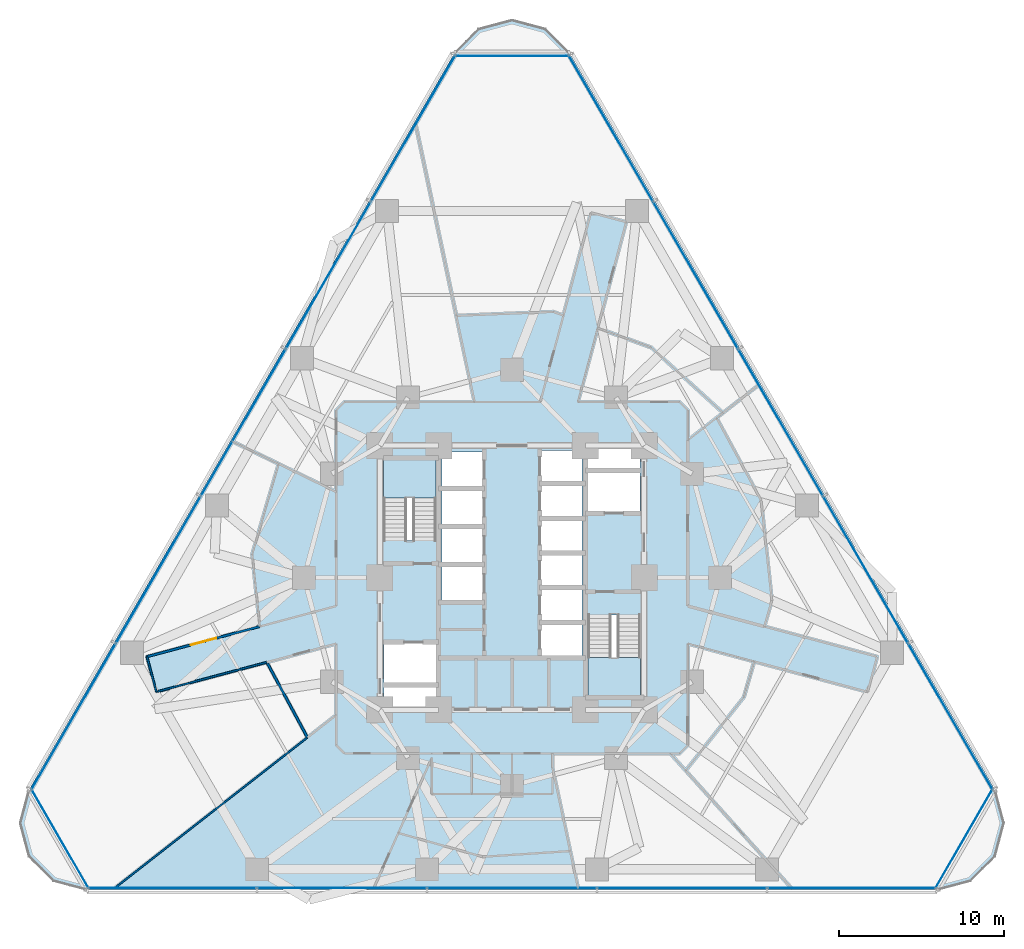
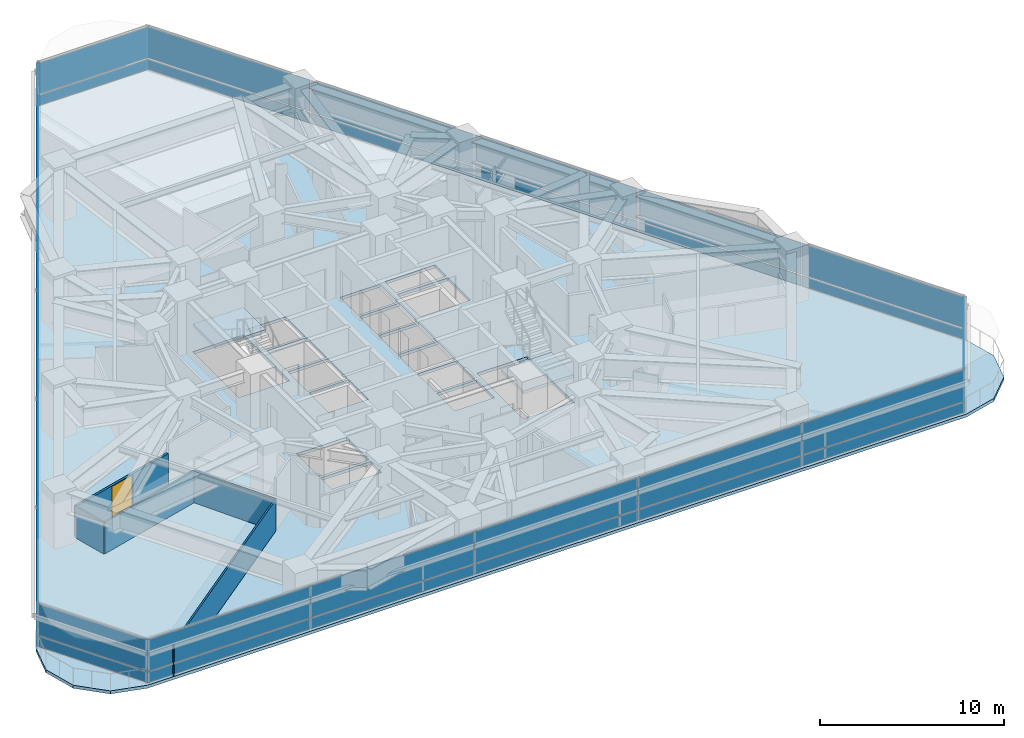
# One storey, part 7 of 15: 36 plates, 5 walls, 3 slabs, 1 door, 1 opening, 8 elements without a shape of their own.
"""IFC4 building model written with IfcOpenShell, lengths in metres."""

import ifcopenshell
import ifcopenshell.guid

model = None  # the IFC model being written
_history = None  # IfcOwnerHistory: only IFC2X3 demands one
_inside = {}  # id of a spatial element -> (the spatial element, [elements in it])
_under = {}  # id of a project, library or spatial element -> (it, [spatial elements below it])
_declared = {}  # id of a project -> (the project, [libraries it declares])
_typed = {}  # id of a type object -> (the type object, [elements of that type])
_made_of = {}  # id of a material, layer set ... -> (it, [elements and type objects made of it])


def new_model(schema):
    """Start an empty IFC model of exactly this schema.

    Asked for "IFC4X3", IfcOpenShell would pick the latest addendum, in which some entities
    have other attributes; the version numbers below select the first issue.
    IFC2X3 requires an IfcOwnerHistory on every rooted entity: one is made here for all.
    """
    global model, _history
    if schema == "IFC4X3":
        model = ifcopenshell.file(schema_version=(4, 3, 0, 0))
    else:
        model = ifcopenshell.file(schema=schema)
    _inside.clear()
    _under.clear()
    _declared.clear()
    _typed.clear()
    _made_of.clear()
    _history = None
    if model.schema == "IFC2X3":
        org = make("IfcOrganization", Name="unknown")
        user = make(
            "IfcPersonAndOrganization",
            ThePerson=make("IfcPerson", FamilyName="unknown"),
            TheOrganization=org,
        )
        app = make(
            "IfcApplication",
            ApplicationDeveloper=org,
            Version="unknown",
            ApplicationFullName="unknown",
            ApplicationIdentifier="unknown",
        )
        _history = make(
            "IfcOwnerHistory",
            OwningUser=user,
            OwningApplication=app,
            ChangeAction="ADDED",
            CreationDate=0,
        )
    return model


def make(cls, **values):
    """One entity of the class cls with the attributes given. An attribute that is None is left unset."""
    return model.create_entity(
        cls, **{name: value for name, value in values.items() if value is not None}
    )


def rooted(cls, **values):
    """An entity with a GlobalId (a new one), such as an element, a storey or a relation."""
    return make(cls, GlobalId=ifcopenshell.guid.new(), OwnerHistory=_history, **values)


def si_unit(unit_type, name, prefix=None):
    """IfcSIUnit, for example si_unit("LENGTHUNIT", "METRE", prefix="MILLI")."""
    return make("IfcSIUnit", UnitType=unit_type, Prefix=prefix, Name=name)


def assignment(units):
    """IfcUnitAssignment: the units of a project."""
    return None if units is None else make("IfcUnitAssignment", Units=units)


def point(xyz):
    """IfcCartesianPoint."""
    return None if xyz is None else make("IfcCartesianPoint", Coordinates=xyz)


def direction(xyz):
    """IfcDirection."""
    return None if xyz is None else make("IfcDirection", DirectionRatios=xyz)


def frame(location, z_axis=None, x_axis=None):
    """IfcAxis2Placement3D, a coordinate frame: its origin and axes. An axis left out is left unset."""
    return make(
        "IfcAxis2Placement3D",
        Location=point(location),
        Axis=direction(z_axis),
        RefDirection=direction(x_axis),
    )


def frame_2d(location, x_axis=None):
    """IfcAxis2Placement2D, a coordinate frame in the plane: its origin and x axis."""
    return make(
        "IfcAxis2Placement2D", Location=point(location), RefDirection=direction(x_axis)
    )


def origin():
    """The frame at (0, 0, 0) with its axes left unset."""
    return frame((0.0, 0.0, 0.0))


def origin_2d():
    """The frame at (0, 0) in the plane with its x axis left unset."""
    return frame_2d((0.0, 0.0))


def place(relative_to, where):
    """IfcLocalPlacement: puts the frame where relative to a parent placement (None: the world)."""
    return make(
        "IfcLocalPlacement", PlacementRelTo=relative_to, RelativePlacement=where
    )


def context(
    kind, dimensions, precision=None, world=None, true_north=None, identifier=None
):
    """IfcGeometricRepresentationContext, for example the 3D "Model" context."""
    return make(
        "IfcGeometricRepresentationContext",
        ContextIdentifier=identifier,
        ContextType=kind,
        CoordinateSpaceDimension=dimensions,
        Precision=precision,
        WorldCoordinateSystem=world,
        TrueNorth=true_north,
    )


def subcontext(parent, identifier, kind, view, scale=None):
    """IfcGeometricRepresentationSubContext, for example "Body" below "Model"."""
    return make(
        "IfcGeometricRepresentationSubContext",
        ContextIdentifier=identifier,
        ContextType=kind,
        ParentContext=parent,
        TargetScale=scale,
        TargetView=view,
    )


def project(units=None, contexts=None):
    """IfcProject with its units and contexts."""
    return rooted(
        "IfcProject",
        Name="project",
        RepresentationContexts=contexts,
        UnitsInContext=assignment(units),
    )


def spatial(cls, under=None, at=None, **own):
    """A site, building, storey or space (cls), placed at a placement, below another one or the project."""
    s = rooted(cls, ObjectPlacement=at, **own)
    if under is not None:
        _under.setdefault(under.id(), (under, []))[1].append(s)
    return s


def polyline(points):
    """IfcPolyline through the points."""
    return make("IfcPolyline", Points=[point(p) for p in points])


def profile(cls, at=None, kind="AREA", **sizes):
    """A parametric profile (cls). Its sizes go by their IFC names, for example OverallWidth=200.0."""
    return make(cls, ProfileType=kind, Position=at, **sizes)


def rectangle(**sizes):
    """IfcRectangleProfileDef."""
    return profile("IfcRectangleProfileDef", **sizes)


def outline(outer, holes=None, kind="AREA"):
    """IfcArbitraryClosedProfileDef: a profile drawn as a closed curve; with holes, ...WithVoids."""
    if holes is None:
        return make("IfcArbitraryClosedProfileDef", ProfileType=kind, OuterCurve=outer)
    return make(
        "IfcArbitraryProfileDefWithVoids",
        ProfileType=kind,
        OuterCurve=outer,
        InnerCurves=holes,
    )


def extrude(swept, where, along, depth):
    """IfcExtrudedAreaSolid: the profile swept, set in the frame where, extruded along a direction by depth."""
    return make(
        "IfcExtrudedAreaSolid",
        SweptArea=swept,
        Position=where,
        ExtrudedDirection=direction(along),
        Depth=depth,
    )


def shape(context_of_items, identifier, shape_type, items):
    """IfcShapeRepresentation: the items that make up one representation, for example the "Body"."""
    return make(
        "IfcShapeRepresentation",
        ContextOfItems=context_of_items,
        RepresentationIdentifier=identifier,
        RepresentationType=shape_type,
        Items=items,
    )


def material(Name=None, Category=None):
    """IfcMaterial."""
    return make("IfcMaterial", Name=Name, Category=Category)


def layer(
    of_material, thickness, ventilated=None, Name=None, Category=None, Priority=None
):
    """IfcMaterialLayer: one layer of a wall or slab, of a material (None: an air gap)."""
    return make(
        "IfcMaterialLayer",
        Material=of_material,
        LayerThickness=thickness,
        IsVentilated=ventilated,
        Name=Name,
        Category=Category,
        Priority=Priority,
    )


def layer_set(layers, Name=None):
    """IfcMaterialLayerSet."""
    return make("IfcMaterialLayerSet", MaterialLayers=layers, LayerSetName=Name)


def made_of(thing, what):
    """Note that an element or type object is made of a material, layer set ...; save() writes the relation."""
    if what is not None:
        _made_of.setdefault(what.id(), (what, []))[1].append(thing)
    return thing


def type_object(cls, material=None, **own):
    """A type object (cls), such as IfcWallType, which elements share."""
    return made_of(rooted(cls, **own), material)


def element(
    cls,
    number,
    at=None,
    inside=None,
    cuts=None,
    type_object=None,
    material=None,
    context=None,
    identifier="Body",
    shape_type=None,
    held_by="IfcProductDefinitionShape",
    body=None,
    shapes=None,
    **own,
):
    """One element of the class cls, such as IfcWall. Its Tag is "e" and its number.

    at: its placement. inside: the storey or other place that contains it. cuts: it is an
    opening in that element (IfcRelVoidsElement). A single representation is given by context,
    identifier, shape_type and body (its items); several are given by shapes. held_by: the class
    of the entity that holds the representations. save() writes the other relations.
    """
    e = rooted(cls, Tag="e%d" % number, ObjectPlacement=at, **own)
    if body is not None:
        shapes = [shape(context, identifier, shape_type, body)]
    if shapes is not None:
        e.Representation = make(held_by, Representations=shapes)
    if inside is not None:
        _inside.setdefault(inside.id(), (inside, []))[1].append(e)
    if cuts is not None:
        rooted(
            "IfcRelVoidsElement", RelatingBuildingElement=cuts, RelatedOpeningElement=e
        )
    if type_object is not None:
        _typed.setdefault(type_object.id(), (type_object, []))[1].append(e)
    return made_of(e, material)


def fill(opening, filler):
    """IfcRelFillsElement: the door or window that sits in an opening."""
    return rooted(
        "IfcRelFillsElement",
        RelatingOpeningElement=opening,
        RelatedBuildingElement=filler,
    )


def aggregate(whole, parts):
    """IfcRelAggregates: a whole, such as a stair, and the parts it consists of."""
    return rooted("IfcRelAggregates", RelatingObject=whole, RelatedObjects=parts)


def save(model, path):
    """Write the relations noted so far, then the file.

    IfcRelAggregates (storeys below a building ...), IfcRelContainedInSpatialStructure (elements
    in a storey), IfcRelDefinesByType, IfcRelAssociatesMaterial and IfcRelDeclares: one each for
    every whole, place, type object, material and project.
    """
    for whole, parts in _under.values():
        aggregate(whole, parts)
    for where, things in _inside.values():
        rooted(
            "IfcRelContainedInSpatialStructure",
            RelatedElements=things,
            RelatingStructure=where,
        )
    for kind, things in _typed.values():
        rooted("IfcRelDefinesByType", RelatedObjects=things, RelatingType=kind)
    for what, things in _made_of.values():
        rooted("IfcRelAssociatesMaterial", RelatedObjects=things, RelatingMaterial=what)
    for by, libraries in _declared.values():
        rooted("IfcRelDeclares", RelatingContext=by, RelatedDefinitions=libraries)
    model.write(path)


model = new_model("IFC4")

# Units and contexts
model_context = context("Model", 3, precision=1e-05, world=origin(), true_north=direction((0.0, 1.0)))
body_context = subcontext(model_context, "Body", "Model", "MODEL_VIEW")
ifc_project = project(units=[si_unit("LENGTHUNIT", "METRE"), si_unit("AREAUNIT", "SQUARE_METRE"), si_unit("VOLUMEUNIT", "CUBIC_METRE"), si_unit("PLANEANGLEUNIT", "RADIAN"), si_unit("MASSUNIT", "GRAM", prefix="KILO")], contexts=[model_context])

# Site, building, storey
site_placement = place(None, origin())
site = spatial("IfcSite", under=ifc_project, at=site_placement, CompositionType="ELEMENT")
building_placement = place(site_placement, origin())
building = spatial("IfcBuilding", under=site, at=building_placement, Name="Terralouvre Media Tower", CompositionType="ELEMENT")
storey_placement = place(building_placement, frame((0.0, 0.0, 51.89990234375)))
storey = spatial("IfcBuildingStorey", under=building, at=storey_placement, Name="L12", CompositionType="ELEMENT", Elevation=51.89990234375)

# Slab
ifc_material_1 = material(Name="Concrete C40/50", Category="concrete")
ifc_layer_1 = layer(ifc_material_1, 0.199951171875, Name="Composite Tower Floor Slab S-TYP200")
ifc_layer_set_1 = layer_set([ifc_layer_1], Name="Concrete C40/50")
slab_type_1 = type_object("IfcSlabType", Name="Composite Tower Floor Slab S-TYP200", PredefinedType="FLOOR", material=ifc_layer_set_1)
slab_1_placement = place(storey_placement, frame((0.0, 0.0, -0.199951171875)))
element("IfcSlab", 1, at=slab_1_placement, inside=storey, type_object=slab_type_1, Name="L12 Structural Floor Slab", PredefinedType="FLOOR", context=body_context, shape_type="SweptSolid", body=[
    extrude(outline(polyline([(-29.25732421875, -12.841796875), (-29.800048828125, -14.86669921875), (-29.25732421875, -16.891845703125), (-27.77490234375, -18.374267578125), (-25.75, -18.916748046875), (25.75, -18.916748046875), (27.77490234375, -18.374267578125), (29.25732421875, -16.891845703125), (29.800048828125, -14.86669921875), (29.25732421875, -12.841796875), (3.50732421875, 31.758544921875), (2.02490234375, 33.240966796875), (0.0, 33.783447265625), (-2.02490234375, 33.240966796875), (-3.50732421875, 31.758544921875), (-29.25732421875, -12.841796875)]), holes=[polyline([(-4.60009765625, -7.800048828125), (-7.75, -7.800048828125), (-7.75, -6.60009765625), (-4.60009765625, -6.60009765625), (-4.60009765625, -7.800048828125)]), polyline([(-4.60009765625, -6.39990234375), (-7.75, -6.39990234375), (-7.75, -3.949951171875), (-4.60009765625, -3.949951171875), (-4.60009765625, -6.39990234375)]), polyline([(-1.75, -1.419921875), (-4.25, -1.419921875), (-4.25, 0.719970703125), (-1.75, 0.719970703125), (-1.75, -1.419921875)]), polyline([(-1.75, 0.8798828125), (-4.25, 0.8798828125), (-4.25, 3.02001953125), (-1.75, 3.02001953125), (-1.75, 0.8798828125)]), polyline([(4.25, 1.580078125), (1.75, 1.580078125), (1.75, 3.52001953125), (4.25, 3.52001953125), (4.25, 1.580078125)]), polyline([(-1.75, 3.179931640625), (-4.25, 3.179931640625), (-4.25, 5.320068359375), (-1.75, 5.320068359375), (-1.75, 3.179931640625)]), polyline([(-4.60009765625, 2.2451171875), (-7.780029296875, 2.2451171875), (-7.780029296875, 7.260009765625), (-4.60009765625, 7.260009765625), (-4.60009765625, 2.2451171875)]), polyline([(-1.75, 5.47998046875), (-4.25, 5.47998046875), (-4.25, 7.6201171875), (-1.75, 7.6201171875), (-1.75, 5.47998046875)]), polyline([(4.60009765625, -2.2451171875), (7.780029296875, -2.2451171875), (7.780029296875, -7.260009765625), (4.60009765625, -7.260009765625), (4.60009765625, -2.2451171875)]), polyline([(4.25, -4.719970703125), (1.75, -4.719970703125), (1.75, -2.780029296875), (4.25, -2.780029296875), (4.25, -4.719970703125)]), polyline([(4.25, -2.6201171875), (1.75, -2.6201171875), (1.75, -0.679931640625), (4.25, -0.679931640625), (4.25, -2.6201171875)]), polyline([(4.25, -0.52001953125), (1.75, -0.52001953125), (1.75, 1.419921875), (4.25, 1.419921875), (4.25, -0.52001953125)]), polyline([(4.25, 3.679931640625), (1.75, 3.679931640625), (1.75, 5.6201171875), (4.25, 5.6201171875), (4.25, 3.679931640625)]), polyline([(7.75, 3.949951171875), (4.60009765625, 3.949951171875), (4.60009765625, 6.39990234375), (7.75, 6.39990234375), (7.75, 3.949951171875)]), polyline([(4.25, 5.780029296875), (1.75, 5.780029296875), (1.75, 7.719970703125), (4.25, 7.719970703125), (4.25, 5.780029296875)]), polyline([(7.75, 6.60009765625), (4.60009765625, 6.60009765625), (4.60009765625, 7.800048828125), (7.75, 7.800048828125), (7.75, 6.60009765625)])]), origin(), (0.0, 0.0, 1.0), 0.199951171875),
])

# Stair, slab
ifc_material_2 = material(Name="Concrete C45/55", Category="concrete")
stair_type_1 = type_object("IfcStairType", Name="Dogleg Stair Assembly ST-01", PredefinedType="HALF_TURN_STAIR", material=ifc_material_2)
stair_1_placement = place(storey_placement, origin())
stair_1 = element("IfcStair", 2, at=stair_1_placement, inside=storey, type_object=stair_type_1, Name="L12 Core Pressurised Exit Stair ST-01", PredefinedType="HALF_TURN_STAIR")
ifc_material_3 = material(Name="Concrete C45/55", Category="concrete")
ifc_layer_2 = layer(ifc_material_3, 0.199951171875, Name="Reinforced Concrete Stair Half-Landing SL-LD1")
ifc_layer_set_2 = layer_set([ifc_layer_2], Name="Concrete C45/55")
slab_type_2 = type_object("IfcSlabType", Name="Reinforced Concrete Stair Half-Landing SL-LD1", PredefinedType="LANDING", material=ifc_layer_set_2)
slab_2_placement = place(storey_placement, frame((0.0, 0.0, 1.650146484375)))
slab_2 = element("IfcSlab", 3, at=slab_2_placement, type_object=slab_type_2, Name="ST-01 landing 1", PredefinedType="LANDING", context=body_context, shape_type="SweptSolid", body=[
    extrude(outline(polyline([(-4.60009765625, 4.820068359375), (-4.60009765625, 7.260009765625), (-7.780029296875, 7.260009765625), (-7.780029296875, 4.820068359375), (-4.60009765625, 4.820068359375)])), origin(), (0.0, 0.0, 1.0), 0.199951171875),
])
aggregate(stair_1, [slab_2])

ifc_material_4 = material(Name="Concrete C45/55", Category="concrete")
stair_type_2 = type_object("IfcStairType", Name="Dogleg Stair Assembly ST-02", PredefinedType="HALF_TURN_STAIR", material=ifc_material_4)
stair_2_placement = place(storey_placement, origin())
stair_2 = element("IfcStair", 4, at=stair_2_placement, inside=storey, type_object=stair_type_2, Name="L12 Core Pressurised Exit Stair ST-02", PredefinedType="HALF_TURN_STAIR")
slab_3_placement = place(storey_placement, frame((0.0, 0.0, 1.650146484375)))
slab_3 = element("IfcSlab", 5, at=slab_3_placement, type_object=slab_type_2, Name="ST-02 landing 1", PredefinedType="LANDING", context=body_context, shape_type="SweptSolid", body=[
    extrude(outline(polyline([(4.60009765625, -4.820068359375), (4.60009765625, -7.260009765625), (7.780029296875, -7.260009765625), (7.780029296875, -4.820068359375), (4.60009765625, -4.820068359375)])), origin(), (0.0, 0.0, 1.0), 0.199951171875),
])
aggregate(stair_2, [slab_3])

# Curtain wall, plates
ifc_material_5 = material(Name="Low-iron laminated double glazing with solar-control coating", Category="glass")
ifc_layer_3 = layer(ifc_material_5, 0.1650390625, Name="Rounded Wind-Corner Curved Glazing CW-04")
ifc_layer_set_3 = layer_set([ifc_layer_3], Name="Low-iron laminated double glazing with solar-control coating")
curtain_wall_type_1 = type_object("IfcCurtainWallType", Name="Rounded Wind-Corner Curved Glazing CW-04", PredefinedType="NOTDEFINED", material=ifc_layer_set_3)
curtain_wall_1_placement = place(storey_placement, origin())
curtain_wall_1 = element("IfcCurtainWall", 6, at=curtain_wall_1_placement, inside=storey, type_object=curtain_wall_type_1, Name="L12 Rounded Wind-Corner Curtain Wall C0", PredefinedType="NOTDEFINED")
ifc_material_6 = material(Name="Low-iron laminated double glazing with solar-control coating", Category="glass")
ifc_layer_4 = layer(ifc_material_6, 0.0400390625, Name="Rounded Corner Laminated Vision Panel CWP-03")
ifc_layer_set_4 = layer_set([ifc_layer_4], Name="Low-iron laminated double glazing with solar-control coating")
plate_type_1 = type_object("IfcPlateType", Name="Rounded Corner Laminated Vision Panel CWP-03", PredefinedType="CURTAIN_PANEL", material=ifc_layer_set_4)
plate_1_placement = place(storey_placement, frame((-27.382568359375, -15.809326171875, 0.0751953125), z_axis=(0.0, 0.0, 1.0), x_axis=(0.499999691503, -0.866025581895, 0.0)))
plate_1 = element("IfcPlate", 7, at=plate_1_placement, type_object=plate_type_1, Name="CW-04 panel 1.1", PredefinedType="CURTAIN_PANEL", context=body_context, shape_type="SweptSolid", body=[
    extrude(rectangle(XDim=6.86474609375, YDim=0.035888671875, at=origin_2d()), origin(), (0.0, 0.0, 1.0), 0.6875),
])
plate_2_placement = place(storey_placement, frame((-27.382568359375, -15.809326171875, 0.837646484375), z_axis=(0.0, 0.0, 1.0), x_axis=(0.499999691503, -0.866025581895, 0.0)))
plate_2 = element("IfcPlate", 8, at=plate_2_placement, type_object=plate_type_1, Name="CW-04 panel 1.2", PredefinedType="CURTAIN_PANEL", context=body_context, shape_type="SweptSolid", body=[
    extrude(rectangle(XDim=6.86474609375, YDim=0.035888671875, at=origin_2d()), origin(), (0.0, 0.0, 1.0), 2.08740234375),
])
aggregate(curtain_wall_1, [plate_1, plate_2])

curtain_wall_2_placement = place(storey_placement, origin())
curtain_wall_2 = element("IfcCurtainWall", 9, at=curtain_wall_2_placement, inside=storey, type_object=curtain_wall_type_1, Name="L12 Rounded Wind-Corner Curtain Wall C1", PredefinedType="NOTDEFINED")
plate_3_placement = place(storey_placement, frame((27.382568359375, -15.809326171875, 0.0751953125), z_axis=(0.0, 0.0, 1.0), x_axis=(0.499999691503, 0.866025581895, 0.0)))
plate_3 = element("IfcPlate", 10, at=plate_3_placement, type_object=plate_type_1, Name="CW-04 panel 1.1", PredefinedType="CURTAIN_PANEL", context=body_context, shape_type="SweptSolid", body=[
    extrude(rectangle(XDim=6.86474609375, YDim=0.035888671875, at=origin_2d()), origin(), (0.0, 0.0, 1.0), 0.6875),
])
plate_4_placement = place(storey_placement, frame((27.382568359375, -15.809326171875, 0.837646484375), z_axis=(0.0, 0.0, 1.0), x_axis=(0.499999691503, 0.866025581895, 0.0)))
plate_4 = element("IfcPlate", 11, at=plate_4_placement, type_object=plate_type_1, Name="CW-04 panel 1.2", PredefinedType="CURTAIN_PANEL", context=body_context, shape_type="SweptSolid", body=[
    extrude(rectangle(XDim=6.86474609375, YDim=0.035888671875, at=origin_2d()), origin(), (0.0, 0.0, 1.0), 2.08740234375),
])
aggregate(curtain_wall_2, [plate_3, plate_4])

curtain_wall_3_placement = place(storey_placement, origin())
curtain_wall_3 = element("IfcCurtainWall", 12, at=curtain_wall_3_placement, inside=storey, type_object=curtain_wall_type_1, Name="L12 Rounded Wind-Corner Curtain Wall C2", PredefinedType="NOTDEFINED")
plate_5_placement = place(storey_placement, frame((0.0, 31.61865234375, 0.0751953125), z_axis=(0.0, 0.0, 1.0), x_axis=(-1.0, 0.0, 0.0)))
plate_5 = element("IfcPlate", 13, at=plate_5_placement, type_object=plate_type_1, Name="CW-04 panel 1.1", PredefinedType="CURTAIN_PANEL", context=body_context, shape_type="SweptSolid", body=[
    extrude(rectangle(XDim=6.86474609375, YDim=0.035888671875, at=origin_2d()), origin(), (0.0, 0.0, 1.0), 0.6875),
])
plate_6_placement = place(storey_placement, frame((0.0, 31.61865234375, 0.837646484375), z_axis=(0.0, 0.0, 1.0), x_axis=(-1.0, 0.0, 0.0)))
plate_6 = element("IfcPlate", 14, at=plate_6_placement, type_object=plate_type_1, Name="CW-04 panel 1.2", PredefinedType="CURTAIN_PANEL", context=body_context, shape_type="SweptSolid", body=[
    extrude(rectangle(XDim=6.86474609375, YDim=0.035888671875, at=origin_2d()), origin(), (0.0, 0.0, 1.0), 2.08740234375),
])
aggregate(curtain_wall_3, [plate_5, plate_6])

ifc_material_7 = material(Name="Low-iron laminated double glazing with solar-control coating", Category="glass")
ifc_layer_5 = layer(ifc_material_7, 0.1650390625, Name="Lower Media Tower Unitised Curtain Wall CW-02")
ifc_layer_set_5 = layer_set([ifc_layer_5], Name="Low-iron laminated double glazing with solar-control coating")
curtain_wall_type_2 = type_object("IfcCurtainWallType", Name="Lower Media Tower Unitised Curtain Wall CW-02", PredefinedType="NOTDEFINED", material=ifc_layer_set_5)
curtain_wall_4_placement = place(storey_placement, origin())
curtain_wall_4 = element("IfcCurtainWall", 15, at=curtain_wall_4_placement, inside=storey, type_object=curtain_wall_type_2, Name="L12 Facade Curtain Wall F0", PredefinedType="NOTDEFINED")
ifc_material_8 = material(Name="Low-iron laminated double glazing with solar-control coating", Category="glass")
ifc_layer_6 = layer(ifc_material_8, 0.035888671875, Name="Vision Double-Glazed Unit CWP-01")
ifc_layer_set_6 = layer_set([ifc_layer_6], Name="Low-iron laminated double glazing with solar-control coating")
plate_type_2 = type_object("IfcPlateType", Name="Vision Double-Glazed Unit CWP-01", PredefinedType="CURTAIN_PANEL", material=ifc_layer_set_6)
plate_7_placement = place(storey_placement, frame((-20.581298828125, -18.796875, 0.0751953125), z_axis=(0.0, 0.0, 1.0), x_axis=(1.0, 0.0, 0.0)))
plate_7 = element("IfcPlate", 16, at=plate_7_placement, type_object=plate_type_2, Name="CW-02 panel 1.1", PredefinedType="CURTAIN_PANEL", context=body_context, shape_type="SweptSolid", body=[
    extrude(rectangle(XDim=10.1875, YDim=0.035888671875, at=origin_2d()), origin(), (0.0, 0.0, 1.0), 0.6875),
])
plate_8_placement = place(storey_placement, frame((-20.581298828125, -18.796875, 0.837646484375), z_axis=(0.0, 0.0, 1.0), x_axis=(1.0, 0.0, 0.0)))
plate_8 = element("IfcPlate", 17, at=plate_8_placement, type_object=plate_type_2, Name="CW-02 panel 1.2", PredefinedType="CURTAIN_PANEL", context=body_context, shape_type="SweptSolid", body=[
    extrude(rectangle(XDim=10.1875, YDim=0.035888671875, at=origin_2d()), origin(), (0.0, 0.0, 1.0), 2.08740234375),
])
plate_9_placement = place(storey_placement, frame((-10.300048828125, -18.796875, 0.0751953125), z_axis=(0.0, 0.0, 1.0), x_axis=(1.0, 0.0, 0.0)))
plate_9 = element("IfcPlate", 18, at=plate_9_placement, type_object=plate_type_2, Name="CW-02 panel 2.1", PredefinedType="CURTAIN_PANEL", context=body_context, shape_type="SweptSolid", body=[
    extrude(rectangle(XDim=10.22509765625, YDim=0.035888671875, at=origin_2d()), origin(), (0.0, 0.0, 1.0), 0.6875),
])
plate_10_placement = place(storey_placement, frame((-10.300048828125, -18.796875, 0.837646484375), z_axis=(0.0, 0.0, 1.0), x_axis=(1.0, 0.0, 0.0)))
plate_10 = element("IfcPlate", 19, at=plate_10_placement, type_object=plate_type_2, Name="CW-02 panel 2.2", PredefinedType="CURTAIN_PANEL", context=body_context, shape_type="SweptSolid", body=[
    extrude(rectangle(XDim=10.22509765625, YDim=0.035888671875, at=origin_2d()), origin(), (0.0, 0.0, 1.0), 2.08740234375),
])
plate_11_placement = place(storey_placement, frame((0.0, -18.796875, 0.0751953125), z_axis=(0.0, 0.0, 1.0), x_axis=(1.0, 0.0, 0.0)))
plate_11 = element("IfcPlate", 20, at=plate_11_placement, type_object=plate_type_2, Name="CW-02 panel 3.1", PredefinedType="CURTAIN_PANEL", context=body_context, shape_type="SweptSolid", body=[
    extrude(rectangle(XDim=10.22509765625, YDim=0.035888671875, at=origin_2d()), origin(), (0.0, 0.0, 1.0), 0.6875),
])
plate_12_placement = place(storey_placement, frame((0.0, -18.796875, 0.837646484375), z_axis=(0.0, 0.0, 1.0), x_axis=(1.0, 0.0, 0.0)))
plate_12 = element("IfcPlate", 21, at=plate_12_placement, type_object=plate_type_2, Name="CW-02 panel 3.2", PredefinedType="CURTAIN_PANEL", context=body_context, shape_type="SweptSolid", body=[
    extrude(rectangle(XDim=10.22509765625, YDim=0.035888671875, at=origin_2d()), origin(), (0.0, 0.0, 1.0), 2.08740234375),
])
plate_13_placement = place(storey_placement, frame((10.300048828125, -18.796875, 0.0751953125), z_axis=(0.0, 0.0, 1.0), x_axis=(1.0, 0.0, 0.0)))
plate_13 = element("IfcPlate", 22, at=plate_13_placement, type_object=plate_type_2, Name="CW-02 panel 4.1", PredefinedType="CURTAIN_PANEL", context=body_context, shape_type="SweptSolid", body=[
    extrude(rectangle(XDim=10.22509765625, YDim=0.035888671875, at=origin_2d()), origin(), (0.0, 0.0, 1.0), 0.6875),
])
plate_14_placement = place(storey_placement, frame((10.300048828125, -18.796875, 0.837646484375), z_axis=(0.0, 0.0, 1.0), x_axis=(1.0, 0.0, 0.0)))
plate_14 = element("IfcPlate", 23, at=plate_14_placement, type_object=plate_type_2, Name="CW-02 panel 4.2", PredefinedType="CURTAIN_PANEL", context=body_context, shape_type="SweptSolid", body=[
    extrude(rectangle(XDim=10.22509765625, YDim=0.035888671875, at=origin_2d()), origin(), (0.0, 0.0, 1.0), 2.08740234375),
])
plate_15_placement = place(storey_placement, frame((20.581298828125, -18.796875, 0.0751953125), z_axis=(0.0, 0.0, 1.0), x_axis=(1.0, 0.0, 0.0)))
plate_15 = element("IfcPlate", 24, at=plate_15_placement, type_object=plate_type_2, Name="CW-02 panel 5.1", PredefinedType="CURTAIN_PANEL", context=body_context, shape_type="SweptSolid", body=[
    extrude(rectangle(XDim=10.1875, YDim=0.035888671875, at=origin_2d()), origin(), (0.0, 0.0, 1.0), 0.6875),
])
plate_16_placement = place(storey_placement, frame((20.581298828125, -18.796875, 0.837646484375), z_axis=(0.0, 0.0, 1.0), x_axis=(1.0, 0.0, 0.0)))
plate_16 = element("IfcPlate", 25, at=plate_16_placement, type_object=plate_type_2, Name="CW-02 panel 5.2", PredefinedType="CURTAIN_PANEL", context=body_context, shape_type="SweptSolid", body=[
    extrude(rectangle(XDim=10.1875, YDim=0.035888671875, at=origin_2d()), origin(), (0.0, 0.0, 1.0), 2.08740234375),
])
aggregate(curtain_wall_4, [plate_7, plate_8, plate_9, plate_10, plate_11, plate_12, plate_13, plate_14, plate_15, plate_16])

curtain_wall_5_placement = place(storey_placement, origin())
curtain_wall_5 = element("IfcCurtainWall", 26, at=curtain_wall_5_placement, inside=storey, type_object=curtain_wall_type_2, Name="L12 Facade Curtain Wall F1", PredefinedType="NOTDEFINED")
plate_17_placement = place(storey_placement, frame((26.569091796875, -8.425537109375, 0.0751953125), z_axis=(0.0, 0.0, 1.0), x_axis=(-0.499999985671, 0.866025412057, 0.0)))
plate_17 = element("IfcPlate", 27, at=plate_17_placement, type_object=plate_type_2, Name="CW-02 panel 1.1", PredefinedType="CURTAIN_PANEL", context=body_context, shape_type="SweptSolid", body=[
    extrude(rectangle(XDim=10.1875, YDim=0.035888671875, at=origin_2d()), origin(), (0.0, 0.0, 1.0), 0.6875),
])
plate_18_placement = place(storey_placement, frame((26.569091796875, -8.425537109375, 0.837646484375), z_axis=(0.0, 0.0, 1.0), x_axis=(-0.499999985671, 0.866025412057, 0.0)))
plate_18 = element("IfcPlate", 28, at=plate_18_placement, type_object=plate_type_2, Name="CW-02 panel 1.2", PredefinedType="CURTAIN_PANEL", context=body_context, shape_type="SweptSolid", body=[
    extrude(rectangle(XDim=10.1875, YDim=0.035888671875, at=origin_2d()), origin(), (0.0, 0.0, 1.0), 2.08740234375),
])
plate_19_placement = place(storey_placement, frame((21.428466796875, 0.478271484375, 0.0751953125), z_axis=(0.0, 0.0, 1.0), x_axis=(-0.499999985671, 0.866025412057, 0.0)))
plate_19 = element("IfcPlate", 29, at=plate_19_placement, type_object=plate_type_2, Name="CW-02 panel 2.1", PredefinedType="CURTAIN_PANEL", context=body_context, shape_type="SweptSolid", body=[
    extrude(rectangle(XDim=10.22509765625, YDim=0.035888671875, at=origin_2d()), origin(), (0.0, 0.0, 1.0), 0.6875),
])
plate_20_placement = place(storey_placement, frame((21.428466796875, 0.478271484375, 0.837646484375), z_axis=(0.0, 0.0, 1.0), x_axis=(-0.499999985671, 0.866025412057, 0.0)))
plate_20 = element("IfcPlate", 30, at=plate_20_placement, type_object=plate_type_2, Name="CW-02 panel 2.2", PredefinedType="CURTAIN_PANEL", context=body_context, shape_type="SweptSolid", body=[
    extrude(rectangle(XDim=10.22509765625, YDim=0.035888671875, at=origin_2d()), origin(), (0.0, 0.0, 1.0), 2.08740234375),
])
plate_21_placement = place(storey_placement, frame((16.278564453125, 9.3984375, 0.0751953125), z_axis=(0.0, 0.0, 1.0), x_axis=(-0.499999985671, 0.866025412057, 0.0)))
plate_21 = element("IfcPlate", 31, at=plate_21_placement, type_object=plate_type_2, Name="CW-02 panel 3.1", PredefinedType="CURTAIN_PANEL", context=body_context, shape_type="SweptSolid", body=[
    extrude(rectangle(XDim=10.22509765625, YDim=0.035888671875, at=origin_2d()), origin(), (0.0, 0.0, 1.0), 0.6875),
])
plate_22_placement = place(storey_placement, frame((16.278564453125, 9.3984375, 0.837646484375), z_axis=(0.0, 0.0, 1.0), x_axis=(-0.499999985671, 0.866025412057, 0.0)))
plate_22 = element("IfcPlate", 32, at=plate_22_placement, type_object=plate_type_2, Name="CW-02 panel 3.2", PredefinedType="CURTAIN_PANEL", context=body_context, shape_type="SweptSolid", body=[
    extrude(rectangle(XDim=10.22509765625, YDim=0.035888671875, at=origin_2d()), origin(), (0.0, 0.0, 1.0), 2.08740234375),
])
plate_23_placement = place(storey_placement, frame((11.12841796875, 18.318359375, 0.0751953125), z_axis=(0.0, 0.0, 1.0), x_axis=(-0.499999985671, 0.866025412057, 0.0)))
plate_23 = element("IfcPlate", 33, at=plate_23_placement, type_object=plate_type_2, Name="CW-02 panel 4.1", PredefinedType="CURTAIN_PANEL", context=body_context, shape_type="SweptSolid", body=[
    extrude(rectangle(XDim=10.22509765625, YDim=0.035888671875, at=origin_2d()), origin(), (0.0, 0.0, 1.0), 0.6875),
])
plate_24_placement = place(storey_placement, frame((11.12841796875, 18.318359375, 0.837646484375), z_axis=(0.0, 0.0, 1.0), x_axis=(-0.499999985671, 0.866025412057, 0.0)))
plate_24 = element("IfcPlate", 34, at=plate_24_placement, type_object=plate_type_2, Name="CW-02 panel 4.2", PredefinedType="CURTAIN_PANEL", context=body_context, shape_type="SweptSolid", body=[
    extrude(rectangle(XDim=10.22509765625, YDim=0.035888671875, at=origin_2d()), origin(), (0.0, 0.0, 1.0), 2.08740234375),
])
plate_25_placement = place(storey_placement, frame((5.98779296875, 27.22216796875, 0.0751953125), z_axis=(0.0, 0.0, 1.0), x_axis=(-0.499999985671, 0.866025412057, 0.0)))
plate_25 = element("IfcPlate", 35, at=plate_25_placement, type_object=plate_type_2, Name="CW-02 panel 5.1", PredefinedType="CURTAIN_PANEL", context=body_context, shape_type="SweptSolid", body=[
    extrude(rectangle(XDim=10.1875, YDim=0.035888671875, at=origin_2d()), origin(), (0.0, 0.0, 1.0), 0.6875),
])
plate_26_placement = place(storey_placement, frame((5.98779296875, 27.22216796875, 0.837646484375), z_axis=(0.0, 0.0, 1.0), x_axis=(-0.499999985671, 0.866025412057, 0.0)))
plate_26 = element("IfcPlate", 36, at=plate_26_placement, type_object=plate_type_2, Name="CW-02 panel 5.2", PredefinedType="CURTAIN_PANEL", context=body_context, shape_type="SweptSolid", body=[
    extrude(rectangle(XDim=10.1875, YDim=0.035888671875, at=origin_2d()), origin(), (0.0, 0.0, 1.0), 2.08740234375),
])
aggregate(curtain_wall_5, [plate_17, plate_18, plate_19, plate_20, plate_21, plate_22, plate_23, plate_24, plate_25, plate_26])

curtain_wall_6_placement = place(storey_placement, origin())
curtain_wall_6 = element("IfcCurtainWall", 37, at=curtain_wall_6_placement, inside=storey, type_object=curtain_wall_type_2, Name="L12 Facade Curtain Wall F2", PredefinedType="NOTDEFINED")
plate_27_placement = place(storey_placement, frame((-5.98779296875, 27.22216796875, 0.0751953125), z_axis=(0.0, 0.0, 1.0), x_axis=(-0.499999985671, -0.866025412057, 0.0)))
plate_27 = element("IfcPlate", 38, at=plate_27_placement, type_object=plate_type_2, Name="CW-02 panel 1.1", PredefinedType="CURTAIN_PANEL", context=body_context, shape_type="SweptSolid", body=[
    extrude(rectangle(XDim=10.1875, YDim=0.035888671875, at=origin_2d()), origin(), (0.0, 0.0, 1.0), 0.6875),
])
plate_28_placement = place(storey_placement, frame((-5.98779296875, 27.22216796875, 0.837646484375), z_axis=(0.0, 0.0, 1.0), x_axis=(-0.499999985671, -0.866025412057, 0.0)))
plate_28 = element("IfcPlate", 39, at=plate_28_placement, type_object=plate_type_2, Name="CW-02 panel 1.2", PredefinedType="CURTAIN_PANEL", context=body_context, shape_type="SweptSolid", body=[
    extrude(rectangle(XDim=10.1875, YDim=0.035888671875, at=origin_2d()), origin(), (0.0, 0.0, 1.0), 2.08740234375),
])
plate_29_placement = place(storey_placement, frame((-11.12841796875, 18.318359375, 0.0751953125), z_axis=(0.0, 0.0, 1.0), x_axis=(-0.499999985671, -0.866025412057, 0.0)))
plate_29 = element("IfcPlate", 40, at=plate_29_placement, type_object=plate_type_2, Name="CW-02 panel 2.1", PredefinedType="CURTAIN_PANEL", context=body_context, shape_type="SweptSolid", body=[
    extrude(rectangle(XDim=10.22509765625, YDim=0.035888671875, at=origin_2d()), origin(), (0.0, 0.0, 1.0), 0.6875),
])
plate_30_placement = place(storey_placement, frame((-11.12841796875, 18.318359375, 0.837646484375), z_axis=(0.0, 0.0, 1.0), x_axis=(-0.499999985671, -0.866025412057, 0.0)))
plate_30 = element("IfcPlate", 41, at=plate_30_placement, type_object=plate_type_2, Name="CW-02 panel 2.2", PredefinedType="CURTAIN_PANEL", context=body_context, shape_type="SweptSolid", body=[
    extrude(rectangle(XDim=10.22509765625, YDim=0.035888671875, at=origin_2d()), origin(), (0.0, 0.0, 1.0), 2.08740234375),
])
plate_31_placement = place(storey_placement, frame((-16.278564453125, 9.3984375, 0.0751953125), z_axis=(0.0, 0.0, 1.0), x_axis=(-0.499999985671, -0.866025412057, 0.0)))
plate_31 = element("IfcPlate", 42, at=plate_31_placement, type_object=plate_type_2, Name="CW-02 panel 3.1", PredefinedType="CURTAIN_PANEL", context=body_context, shape_type="SweptSolid", body=[
    extrude(rectangle(XDim=10.22509765625, YDim=0.035888671875, at=origin_2d()), origin(), (0.0, 0.0, 1.0), 0.6875),
])
plate_32_placement = place(storey_placement, frame((-16.278564453125, 9.3984375, 0.837646484375), z_axis=(0.0, 0.0, 1.0), x_axis=(-0.499999985671, -0.866025412057, 0.0)))
plate_32 = element("IfcPlate", 43, at=plate_32_placement, type_object=plate_type_2, Name="CW-02 panel 3.2", PredefinedType="CURTAIN_PANEL", context=body_context, shape_type="SweptSolid", body=[
    extrude(rectangle(XDim=10.22509765625, YDim=0.035888671875, at=origin_2d()), origin(), (0.0, 0.0, 1.0), 2.08740234375),
])
plate_33_placement = place(storey_placement, frame((-21.428466796875, 0.478271484375, 0.0751953125), z_axis=(0.0, 0.0, 1.0), x_axis=(-0.499999985671, -0.866025412057, 0.0)))
plate_33 = element("IfcPlate", 44, at=plate_33_placement, type_object=plate_type_2, Name="CW-02 panel 4.1", PredefinedType="CURTAIN_PANEL", context=body_context, shape_type="SweptSolid", body=[
    extrude(rectangle(XDim=10.22509765625, YDim=0.035888671875, at=origin_2d()), origin(), (0.0, 0.0, 1.0), 0.6875),
])
plate_34_placement = place(storey_placement, frame((-21.428466796875, 0.478271484375, 0.837646484375), z_axis=(0.0, 0.0, 1.0), x_axis=(-0.499999985671, -0.866025412057, 0.0)))
plate_34 = element("IfcPlate", 45, at=plate_34_placement, type_object=plate_type_2, Name="CW-02 panel 4.2", PredefinedType="CURTAIN_PANEL", context=body_context, shape_type="SweptSolid", body=[
    extrude(rectangle(XDim=10.22509765625, YDim=0.035888671875, at=origin_2d()), origin(), (0.0, 0.0, 1.0), 2.08740234375),
])
plate_35_placement = place(storey_placement, frame((-26.569091796875, -8.425537109375, 0.0751953125), z_axis=(0.0, 0.0, 1.0), x_axis=(-0.499999985671, -0.866025412057, 0.0)))
plate_35 = element("IfcPlate", 46, at=plate_35_placement, type_object=plate_type_2, Name="CW-02 panel 5.1", PredefinedType="CURTAIN_PANEL", context=body_context, shape_type="SweptSolid", body=[
    extrude(rectangle(XDim=10.1875, YDim=0.035888671875, at=origin_2d()), origin(), (0.0, 0.0, 1.0), 0.6875),
])
plate_36_placement = place(storey_placement, frame((-26.569091796875, -8.425537109375, 0.837646484375), z_axis=(0.0, 0.0, 1.0), x_axis=(-0.499999985671, -0.866025412057, 0.0)))
plate_36 = element("IfcPlate", 47, at=plate_36_placement, type_object=plate_type_2, Name="CW-02 panel 5.2", PredefinedType="CURTAIN_PANEL", context=body_context, shape_type="SweptSolid", body=[
    extrude(rectangle(XDim=10.1875, YDim=0.035888671875, at=origin_2d()), origin(), (0.0, 0.0, 1.0), 2.08740234375),
])
aggregate(curtain_wall_6, [plate_27, plate_28, plate_29, plate_30, plate_31, plate_32, plate_33, plate_34, plate_35, plate_36])

# Walls
ifc_material_9 = material(Name="Low-iron laminated double glazing with solar-control coating", Category="glass")
ifc_layer_7 = layer(ifc_material_9, 0.10009765625, Name="Demountable Glazed Office Partition PT-GL100")
ifc_layer_set_7 = layer_set([ifc_layer_7], Name="Low-iron laminated double glazing with solar-control coating")
wall_type_1 = type_object("IfcWallType", Name="Demountable Glazed Office Partition PT-GL100", PredefinedType="MOVABLE", material=ifc_layer_set_7)
wall_1_placement = place(storey_placement, frame((-22.114990234375, -4.787109375, 0.0), z_axis=(0.0, 0.0, 1.0), x_axis=(0.259105843213, -0.965848933329, 0.0)))
element("IfcWall", 48, at=wall_1_placement, inside=storey, type_object=wall_type_1, Name="L12 Interior Partition 020", PredefinedType="MOVABLE", context=body_context, shape_type="SweptSolid", body=[
    extrude(rectangle(XDim=2.2001953125, YDim=0.10009765625, at=frame_2d((1.10009765625, 0.0))), origin(), (0.0, 0.0, 1.0), 2.085205078125),
])
wall_2_placement = place(storey_placement, frame((-21.544921875, -6.912109375, 0.0), z_axis=(0.0, 0.0, 1.0), x_axis=(0.965904958487, 0.258896912245, 0.0)))
element("IfcWall", 49, at=wall_2_placement, inside=storey, type_object=wall_type_1, Name="L12 Interior Partition 021", PredefinedType="MOVABLE", context=body_context, shape_type="SweptSolid", body=[
    extrude(rectangle(XDim=6.93017578125, YDim=0.10009765625, at=frame_2d((3.465087890625, 0.0))), origin(), (0.0, 0.0, 1.0), 2.085205078125),
])
wall_3_placement = place(storey_placement, frame((-24.10986328125, -18.8369140625, 0.0), z_axis=(0.0, 0.0, 1.0), x_axis=(0.788000479848, 0.615674624911, 0.0)))
element("IfcWall", 50, at=wall_3_placement, inside=storey, type_object=wall_type_1, Name="L12 Interior Partition 056", PredefinedType="MOVABLE", context=body_context, shape_type="SweptSolid", body=[
    extrude(rectangle(XDim=14.87158203125, YDim=0.10009765625, at=frame_2d((7.435791015625, 0.0))), origin(), (0.0, 0.0, 1.0), 2.085205078125),
])

# Wall, opening, door
ifc_material_10 = material(Name="Fire-rated gypsum board drywall partition")
ifc_layer_8 = layer(ifc_material_10, 0.135009765625, Name="Newsroom Acoustic Partition PT-135")
ifc_layer_set_8 = layer_set([ifc_layer_8], Name="Fire-rated gypsum board drywall partition")
wall_type_2 = type_object("IfcWallType", Name="Newsroom Acoustic Partition PT-135", PredefinedType="PARTITIONING", material=ifc_layer_set_8)
wall_4_placement = place(storey_placement, frame((-15.27587890625, -2.9541015625, 0.0), z_axis=(0.0, 0.0, 1.0), x_axis=(-0.965909107385, -0.258881432844, 0.0)))
wall_4 = element("IfcWall", 51, at=wall_4_placement, inside=storey, type_object=wall_type_2, Name="L12 Interior Partition 019", PredefinedType="PARTITIONING", context=body_context, shape_type="SweptSolid", body=[
    extrude(rectangle(XDim=7.08056640625, YDim=0.135009765625, at=frame_2d((3.540283203125, 0.0))), origin(), (0.0, 0.0, 1.0), 2.085205078125),
])
opening_placement = place(wall_4_placement, frame((2.740234375, 0.0, 0.0)))
opening = element("IfcOpeningElement", 52, at=opening_placement, cuts=wall_4, Name="Opening ID-04", PredefinedType="OPENING", context=body_context, shape_type="SweptSolid", body=[
    extrude(rectangle(XDim=1.60009765625, YDim=2.034912109375, at=frame_2d((0.800048828125, 1.017578125))), frame((0.0, 0.077392578125, 0.0), z_axis=(0.0, -1.0, 0.0), x_axis=(1.0, 0.0, 0.0)), (0.0, 0.0, 1.0), 0.155029296875),
])
ifc_material_11 = material(Name="Engineered hardwood acoustic timber leaf", Category="wood")
door_type = type_object("IfcDoorType", Name="Conference Double Acoustic Door ID-04", OperationType="DOUBLE_DOOR_SINGLE_SWING", PredefinedType="DOOR", material=ifc_material_11)
door_placement = place(opening_placement, origin())
door = element("IfcDoor", 53, at=door_placement, inside=storey, type_object=door_type, Name="L12 Student Project Breakout Room 7 Door", OperationType="DOUBLE_DOOR_SINGLE_SWING", OverallHeight=2.034912109375, OverallWidth=1.60009765625, PredefinedType="DOOR", context=body_context, shape_type="SweptSolid", body=[
    extrude(rectangle(XDim=1.60009765625, YDim=2.034912109375, at=frame_2d((0.800048828125, 1.017578125))), frame((0.0, 0.02490234375, 0.0), z_axis=(0.0, -1.0, 0.0), x_axis=(1.0, 0.0, 0.0)), (0.0, 0.0, 1.0), 0.050048828125),
])
fill(opening, door)

# Wall
wall_5_placement = place(storey_placement, frame((-14.85107421875, -5.117919921875, 0.0), z_axis=(0.0, 0.0, 1.0), x_axis=(0.474543506137, -0.880232049395, 0.0)))
element("IfcWall", 54, at=wall_5_placement, inside=storey, type_object=wall_type_2, Name="L12 Interior Partition 043", PredefinedType="PARTITIONING", context=body_context, shape_type="SweptSolid", body=[
    extrude(rectangle(XDim=5.183837890625, YDim=0.135009765625, at=frame_2d((2.591796875, 0.0))), origin(), (0.0, 0.0, 1.0), 2.085205078125),
])

save(model, "model.ifc")
